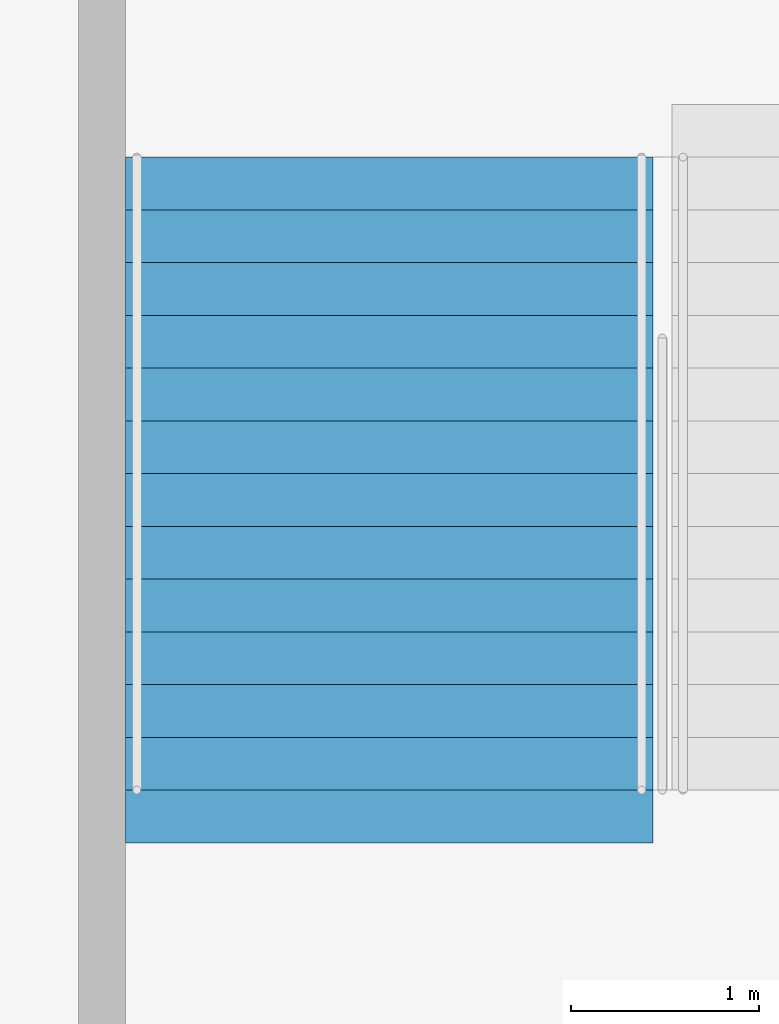
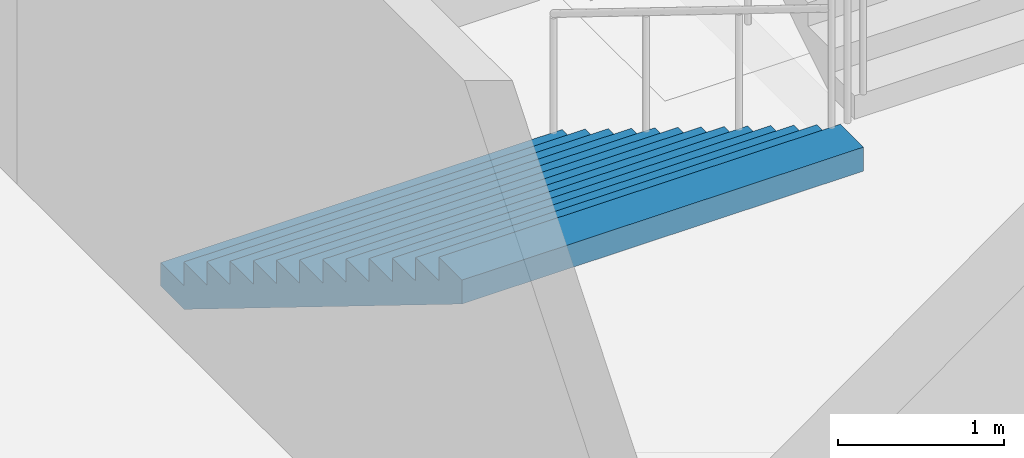
# One storey, part 60 of 115: 1 stair flight, 1 element without a shape of its own.
"""IFC4 building model written with IfcOpenShell, lengths in metres."""

from ifc_helpers import new_model, si_unit, direction, frame, origin, place, context, subcontext, project, spatial, faceted_brep, material, type_object, element, aggregate, save


model = new_model("IFC4")

# Units and contexts
model_context = context("Model", 3, precision=1e-05, world=origin(), true_north=direction((0.0, 1.0)))
body_context = subcontext(model_context, "Body", "Model", "MODEL_VIEW")
ifc_project = project(units=[si_unit("LENGTHUNIT", "METRE"), si_unit("AREAUNIT", "SQUARE_METRE"), si_unit("VOLUMEUNIT", "CUBIC_METRE"), si_unit("PLANEANGLEUNIT", "RADIAN"), si_unit("MASSUNIT", "GRAM", prefix="KILO")], contexts=[model_context])

# Site, building, storey
site_placement = place(None, origin())
site = spatial("IfcSite", under=ifc_project, at=site_placement, CompositionType="ELEMENT")
building_placement = place(site_placement, origin())
building = spatial("IfcBuilding", under=site, at=building_placement, Name="Ogive Plaza Stadium", CompositionType="ELEMENT")
storey_placement = place(building_placement, frame((0.0, 0.0, -4.5)))
storey = spatial("IfcBuildingStorey", under=building, at=storey_placement, Name="B1", CompositionType="ELEMENT", Elevation=-4.5)

# Stair, stair flight
ifc_material_1 = material(Name="Concrete C40/50", Category="concrete")
stair_type = type_object("IfcStairType", Name="Exit stair", PredefinedType="STRAIGHT_RUN_STAIR", material=ifc_material_1)
stair_placement = place(storey_placement, origin())
stair = element("IfcStair", 1, at=stair_placement, inside=storey, type_object=stair_type, Name="Exit stair ST16A B1 to L00", PredefinedType="STRAIGHT_RUN_STAIR")
ifc_material_2 = material(Name="Concrete C40/50", Category="concrete")
stair_flight_type = type_object("IfcStairFlightType", Name="Exit stair flight", PredefinedType="STRAIGHT", material=ifc_material_2)
stair_flight_placement = place(storey_placement, frame((-24.824951171875, -94.85009765625, 0.0), z_axis=(0.0, 0.0, 1.0), x_axis=(0.0, -1.0, 0.0)))
stair_flight = element("IfcStairFlight", 2, at=stair_flight_placement, type_object=stair_flight_type, Name="ST16A flight 1", NumberOfRisers=13, NumberOfTreads=12, PredefinedType="STRAIGHT", RiserHeight=0.173076923, TreadLength=0.28, context=body_context, shape_type="Brep", body=[
    faceted_brep([(0.28515625, -1.39990234375, 0.0), (3.639892578125, -1.39990234375, 2.07373046875), (3.639892578125, -1.39990234375, 2.25), (3.360107421875, -1.39990234375, 2.25), (3.360107421875, -1.39990234375, 2.076904296875), (3.080078125, -1.39990234375, 2.076904296875), (3.080078125, -1.39990234375, 1.90380859375), (2.800048828125, -1.39990234375, 1.90380859375), (2.800048828125, -1.39990234375, 1.730712890625), (2.52001953125, -1.39990234375, 1.730712890625), (2.52001953125, -1.39990234375, 1.5576171875), (2.239990234375, -1.39990234375, 1.5576171875), (2.239990234375, -1.39990234375, 1.384521484375), (1.9599609375, -1.39990234375, 1.384521484375), (1.9599609375, -1.39990234375, 1.21142578125), (1.679931640625, -1.39990234375, 1.21142578125), (1.679931640625, -1.39990234375, 1.03857421875), (1.39990234375, -1.39990234375, 1.03857421875), (1.39990234375, -1.39990234375, 0.865478515625), (1.1201171875, -1.39990234375, 0.865478515625), (1.1201171875, -1.39990234375, 0.6923828125), (0.840087890625, -1.39990234375, 0.6923828125), (0.840087890625, -1.39990234375, 0.519287109375), (0.56005859375, -1.39990234375, 0.519287109375), (0.56005859375, -1.39990234375, 0.34619140625), (0.280029296875, -1.39990234375, 0.34619140625), (0.280029296875, -1.39990234375, 0.173095703125), (0.0, -1.39990234375, 0.173095703125), (0.0, -1.39990234375, 0.0), (0.0, 1.39990234375, 0.0), (0.0, 1.39990234375, 0.173095703125), (0.280029296875, 1.39990234375, 0.173095703125), (0.280029296875, 1.39990234375, 0.34619140625), (0.56005859375, 1.39990234375, 0.34619140625), (0.56005859375, 1.39990234375, 0.519287109375), (0.840087890625, 1.39990234375, 0.519287109375), (0.840087890625, 1.39990234375, 0.6923828125), (1.1201171875, 1.39990234375, 0.6923828125), (1.1201171875, 1.39990234375, 0.865478515625), (1.39990234375, 1.39990234375, 0.865478515625), (1.39990234375, 1.39990234375, 1.03857421875), (1.679931640625, 1.39990234375, 1.03857421875), (1.679931640625, 1.39990234375, 1.21142578125), (1.9599609375, 1.39990234375, 1.21142578125), (1.9599609375, 1.39990234375, 1.384521484375), (2.239990234375, 1.39990234375, 1.384521484375), (2.239990234375, 1.39990234375, 1.5576171875), (2.52001953125, 1.39990234375, 1.5576171875), (2.52001953125, 1.39990234375, 1.730712890625), (2.800048828125, 1.39990234375, 1.730712890625), (2.800048828125, 1.39990234375, 1.90380859375), (3.080078125, 1.39990234375, 1.90380859375), (3.080078125, 1.39990234375, 2.076904296875), (3.360107421875, 1.39990234375, 2.076904296875), (3.360107421875, 1.39990234375, 2.25), (3.639892578125, 1.39990234375, 2.25), (3.639892578125, 1.39990234375, 2.07373046875), (0.28515625, 1.39990234375, 0.0), (0.28515625, -1.0888671875, 0.0), (3.639892578125, -1.0888671875, 2.07373046875), (0.28515625, -0.77783203125, 0.0), (3.639892578125, -0.77783203125, 2.07373046875), (0.28515625, -0.466796875, 0.0), (3.639892578125, -0.466796875, 2.07373046875), (0.28515625, -0.155517578125, 0.0), (3.639892578125, -0.155517578125, 2.07373046875), (0.28515625, 0.155517578125, 0.0), (3.639892578125, 0.155517578125, 2.07373046875), (0.28515625, 0.466796875, 0.0), (3.639892578125, 0.466796875, 2.07373046875), (0.28515625, 0.77783203125, 0.0), (3.639892578125, 0.77783203125, 2.07373046875), (0.28515625, 1.0888671875, 0.0), (3.639892578125, 1.0888671875, 2.07373046875), (3.639892578125, -1.0888671875, 2.25), (3.639892578125, -0.77783203125, 2.25), (3.639892578125, -0.466796875, 2.25), (3.639892578125, -0.155517578125, 2.25), (3.639892578125, 0.155517578125, 2.25), (3.639892578125, 0.466796875, 2.25), (3.639892578125, 0.77783203125, 2.25), (3.639892578125, 1.0888671875, 2.25), (3.360107421875, -1.0888671875, 2.25), (3.360107421875, -0.77783203125, 2.25), (3.360107421875, -0.466796875, 2.25), (3.360107421875, -0.155517578125, 2.25), (3.360107421875, 0.155517578125, 2.25), (3.360107421875, 0.466796875, 2.25), (3.360107421875, 0.77783203125, 2.25), (3.360107421875, 1.0888671875, 2.25), (3.360107421875, -1.0888671875, 2.076904296875), (3.360107421875, -0.77783203125, 2.076904296875), (3.360107421875, -0.466796875, 2.076904296875), (3.360107421875, -0.155517578125, 2.076904296875), (3.360107421875, 0.155517578125, 2.076904296875), (3.360107421875, 0.466796875, 2.076904296875), (3.360107421875, 0.77783203125, 2.076904296875), (3.360107421875, 1.0888671875, 2.076904296875), (3.080078125, -1.0888671875, 2.076904296875), (3.080078125, -0.77783203125, 2.076904296875), (3.080078125, -0.466796875, 2.076904296875), (3.080078125, -0.155517578125, 2.076904296875), (3.080078125, 0.155517578125, 2.076904296875), (3.080078125, 0.466796875, 2.076904296875), (3.080078125, 0.77783203125, 2.076904296875), (3.080078125, 1.0888671875, 2.076904296875), (3.080078125, -1.0888671875, 1.90380859375), (3.080078125, -0.77783203125, 1.90380859375), (3.080078125, -0.466796875, 1.90380859375), (3.080078125, -0.155517578125, 1.90380859375), (3.080078125, 0.155517578125, 1.90380859375), (3.080078125, 0.466796875, 1.90380859375), (3.080078125, 0.77783203125, 1.90380859375), (3.080078125, 1.0888671875, 1.90380859375), (2.800048828125, -1.0888671875, 1.90380859375), (2.800048828125, -0.77783203125, 1.90380859375), (2.800048828125, -0.466796875, 1.90380859375), (2.800048828125, -0.155517578125, 1.90380859375), (2.800048828125, 0.155517578125, 1.90380859375), (2.800048828125, 0.466796875, 1.90380859375), (2.800048828125, 0.77783203125, 1.90380859375), (2.800048828125, 1.0888671875, 1.90380859375), (2.800048828125, -1.0888671875, 1.730712890625), (2.800048828125, -0.77783203125, 1.730712890625), (2.800048828125, -0.466796875, 1.730712890625), (2.800048828125, -0.155517578125, 1.730712890625), (2.800048828125, 0.155517578125, 1.730712890625), (2.800048828125, 0.466796875, 1.730712890625), (2.800048828125, 0.77783203125, 1.730712890625), (2.800048828125, 1.0888671875, 1.730712890625), (2.52001953125, -1.0888671875, 1.730712890625), (2.52001953125, -0.77783203125, 1.730712890625), (2.52001953125, -0.466796875, 1.730712890625), (2.52001953125, -0.155517578125, 1.730712890625), (2.52001953125, 0.155517578125, 1.730712890625), (2.52001953125, 0.466796875, 1.730712890625), (2.52001953125, 0.77783203125, 1.730712890625), (2.52001953125, 1.0888671875, 1.730712890625), (2.52001953125, -1.0888671875, 1.5576171875), (2.52001953125, -0.77783203125, 1.5576171875), (2.52001953125, -0.466796875, 1.5576171875), (2.52001953125, -0.155517578125, 1.5576171875), (2.52001953125, 0.155517578125, 1.5576171875), (2.52001953125, 0.466796875, 1.5576171875), (2.52001953125, 0.77783203125, 1.5576171875), (2.52001953125, 1.0888671875, 1.5576171875), (2.239990234375, -1.0888671875, 1.5576171875), (2.239990234375, -0.77783203125, 1.5576171875), (2.239990234375, -0.466796875, 1.5576171875), (2.239990234375, -0.155517578125, 1.5576171875), (2.239990234375, 0.155517578125, 1.5576171875), (2.239990234375, 0.466796875, 1.5576171875), (2.239990234375, 0.77783203125, 1.5576171875), (2.239990234375, 1.0888671875, 1.5576171875), (2.239990234375, -1.0888671875, 1.384521484375), (2.239990234375, -0.77783203125, 1.384521484375), (2.239990234375, -0.466796875, 1.384521484375), (2.239990234375, -0.155517578125, 1.384521484375), (2.239990234375, 0.155517578125, 1.384521484375), (2.239990234375, 0.466796875, 1.384521484375), (2.239990234375, 0.77783203125, 1.384521484375), (2.239990234375, 1.0888671875, 1.384521484375), (1.9599609375, -1.0888671875, 1.384521484375), (1.9599609375, -0.77783203125, 1.384521484375), (1.9599609375, -0.466796875, 1.384521484375), (1.9599609375, -0.155517578125, 1.384521484375), (1.9599609375, 0.155517578125, 1.384521484375), (1.9599609375, 0.466796875, 1.384521484375), (1.9599609375, 0.77783203125, 1.384521484375), (1.9599609375, 1.0888671875, 1.384521484375), (1.9599609375, -1.0888671875, 1.21142578125), (1.9599609375, -0.77783203125, 1.21142578125), (1.9599609375, -0.466796875, 1.21142578125), (1.9599609375, -0.155517578125, 1.21142578125), (1.9599609375, 0.155517578125, 1.21142578125), (1.9599609375, 0.466796875, 1.21142578125), (1.9599609375, 0.77783203125, 1.21142578125), (1.9599609375, 1.0888671875, 1.21142578125), (1.679931640625, -1.0888671875, 1.21142578125), (1.679931640625, -0.77783203125, 1.21142578125), (1.679931640625, -0.466796875, 1.21142578125), (1.679931640625, -0.155517578125, 1.21142578125), (1.679931640625, 0.155517578125, 1.21142578125), (1.679931640625, 0.466796875, 1.21142578125), (1.679931640625, 0.77783203125, 1.21142578125), (1.679931640625, 1.0888671875, 1.21142578125), (1.679931640625, -1.0888671875, 1.03857421875), (1.679931640625, -0.77783203125, 1.03857421875), (1.679931640625, -0.466796875, 1.03857421875), (1.679931640625, -0.155517578125, 1.03857421875), (1.679931640625, 0.155517578125, 1.03857421875), (1.679931640625, 0.466796875, 1.03857421875), (1.679931640625, 0.77783203125, 1.03857421875), (1.679931640625, 1.0888671875, 1.03857421875), (1.39990234375, -1.0888671875, 1.03857421875), (1.39990234375, -0.77783203125, 1.03857421875), (1.39990234375, -0.466796875, 1.03857421875), (1.39990234375, -0.155517578125, 1.03857421875), (1.39990234375, 0.155517578125, 1.03857421875), (1.39990234375, 0.466796875, 1.03857421875), (1.39990234375, 0.77783203125, 1.03857421875), (1.39990234375, 1.0888671875, 1.03857421875), (1.39990234375, -1.0888671875, 0.865478515625), (1.39990234375, -0.77783203125, 0.865478515625), (1.39990234375, -0.466796875, 0.865478515625), (1.39990234375, -0.155517578125, 0.865478515625), (1.39990234375, 0.155517578125, 0.865478515625), (1.39990234375, 0.466796875, 0.865478515625), (1.39990234375, 0.77783203125, 0.865478515625), (1.39990234375, 1.0888671875, 0.865478515625), (1.1201171875, -1.0888671875, 0.865478515625), (1.1201171875, -0.77783203125, 0.865478515625), (1.1201171875, -0.466796875, 0.865478515625), (1.1201171875, -0.155517578125, 0.865478515625), (1.1201171875, 0.155517578125, 0.865478515625), (1.1201171875, 0.466796875, 0.865478515625), (1.1201171875, 0.77783203125, 0.865478515625), (1.1201171875, 1.0888671875, 0.865478515625), (1.1201171875, -1.0888671875, 0.6923828125), (1.1201171875, -0.77783203125, 0.6923828125), (1.1201171875, -0.466796875, 0.6923828125), (1.1201171875, -0.155517578125, 0.6923828125), (1.1201171875, 0.155517578125, 0.6923828125), (1.1201171875, 0.466796875, 0.6923828125), (1.1201171875, 0.77783203125, 0.6923828125), (1.1201171875, 1.0888671875, 0.6923828125), (0.840087890625, -1.0888671875, 0.6923828125), (0.840087890625, -0.77783203125, 0.6923828125), (0.840087890625, -0.466796875, 0.6923828125), (0.840087890625, -0.155517578125, 0.6923828125), (0.840087890625, 0.155517578125, 0.6923828125), (0.840087890625, 0.466796875, 0.6923828125), (0.840087890625, 0.77783203125, 0.6923828125), (0.840087890625, 1.0888671875, 0.6923828125), (0.840087890625, -1.0888671875, 0.519287109375), (0.840087890625, -0.77783203125, 0.519287109375), (0.840087890625, -0.466796875, 0.519287109375), (0.840087890625, -0.155517578125, 0.519287109375), (0.840087890625, 0.155517578125, 0.519287109375), (0.840087890625, 0.466796875, 0.519287109375), (0.840087890625, 0.77783203125, 0.519287109375), (0.840087890625, 1.0888671875, 0.519287109375), (0.56005859375, -1.0888671875, 0.519287109375), (0.56005859375, -0.77783203125, 0.519287109375), (0.56005859375, -0.466796875, 0.519287109375), (0.56005859375, -0.155517578125, 0.519287109375), (0.56005859375, 0.155517578125, 0.519287109375), (0.56005859375, 0.466796875, 0.519287109375), (0.56005859375, 0.77783203125, 0.519287109375), (0.56005859375, 1.0888671875, 0.519287109375), (0.56005859375, -1.0888671875, 0.34619140625), (0.56005859375, -0.77783203125, 0.34619140625), (0.56005859375, -0.466796875, 0.34619140625), (0.56005859375, -0.155517578125, 0.34619140625), (0.56005859375, 0.155517578125, 0.34619140625), (0.56005859375, 0.466796875, 0.34619140625), (0.56005859375, 0.77783203125, 0.34619140625), (0.56005859375, 1.0888671875, 0.34619140625), (0.280029296875, -1.0888671875, 0.34619140625), (0.280029296875, -0.77783203125, 0.34619140625), (0.280029296875, -0.466796875, 0.34619140625), (0.280029296875, -0.155517578125, 0.34619140625), (0.280029296875, 0.155517578125, 0.34619140625), (0.280029296875, 0.466796875, 0.34619140625), (0.280029296875, 0.77783203125, 0.34619140625), (0.280029296875, 1.0888671875, 0.34619140625), (0.280029296875, -1.0888671875, 0.173095703125), (0.280029296875, -0.77783203125, 0.173095703125), (0.280029296875, -0.466796875, 0.173095703125), (0.280029296875, -0.155517578125, 0.173095703125), (0.280029296875, 0.155517578125, 0.173095703125), (0.280029296875, 0.466796875, 0.173095703125), (0.280029296875, 0.77783203125, 0.173095703125), (0.280029296875, 1.0888671875, 0.173095703125), (0.0, -1.0888671875, 0.173095703125), (0.0, -0.77783203125, 0.173095703125), (0.0, -0.466796875, 0.173095703125), (0.0, -0.155517578125, 0.173095703125), (0.0, 0.155517578125, 0.173095703125), (0.0, 0.466796875, 0.173095703125), (0.0, 0.77783203125, 0.173095703125), (0.0, 1.0888671875, 0.173095703125), (0.0, -1.0888671875, 0.0), (0.0, -0.77783203125, 0.0), (0.0, -0.466796875, 0.0), (0.0, -0.155517578125, 0.0), (0.0, 0.155517578125, 0.0), (0.0, 0.466796875, 0.0), (0.0, 0.77783203125, 0.0), (0.0, 1.0888671875, 0.0)], [[[0, 1, 2, 3, 4, 5, 6, 7, 8, 9, 10, 11, 12, 13, 14, 15, 16, 17, 18, 19, 20, 21, 22, 23, 24, 25, 26, 27, 28]], [[29, 30, 31, 32, 33, 34, 35, 36, 37, 38, 39, 40, 41, 42, 43, 44, 45, 46, 47, 48, 49, 50, 51, 52, 53, 54, 55, 56, 57]], [[0, 58, 59, 1]], [[58, 60, 61, 59]], [[60, 62, 63, 61]], [[62, 64, 65, 63]], [[64, 66, 67, 65]], [[66, 68, 69, 67]], [[68, 70, 71, 69]], [[70, 72, 73, 71]], [[72, 57, 56, 73]], [[1, 59, 74, 2]], [[59, 61, 75, 74]], [[61, 63, 76, 75]], [[63, 65, 77, 76]], [[65, 67, 78, 77]], [[67, 69, 79, 78]], [[69, 71, 80, 79]], [[71, 73, 81, 80]], [[73, 56, 55, 81]], [[2, 74, 82, 3]], [[74, 75, 83, 82]], [[75, 76, 84, 83]], [[76, 77, 85, 84]], [[77, 78, 86, 85]], [[78, 79, 87, 86]], [[79, 80, 88, 87]], [[80, 81, 89, 88]], [[81, 55, 54, 89]], [[3, 82, 90, 4]], [[82, 83, 91, 90]], [[83, 84, 92, 91]], [[84, 85, 93, 92]], [[85, 86, 94, 93]], [[86, 87, 95, 94]], [[87, 88, 96, 95]], [[88, 89, 97, 96]], [[89, 54, 53, 97]], [[4, 90, 98, 5]], [[90, 91, 99, 98]], [[91, 92, 100, 99]], [[92, 93, 101, 100]], [[93, 94, 102, 101]], [[94, 95, 103, 102]], [[95, 96, 104, 103]], [[96, 97, 105, 104]], [[97, 53, 52, 105]], [[5, 98, 106, 6]], [[98, 99, 107, 106]], [[99, 100, 108, 107]], [[100, 101, 109, 108]], [[101, 102, 110, 109]], [[102, 103, 111, 110]], [[103, 104, 112, 111]], [[104, 105, 113, 112]], [[105, 52, 51, 113]], [[6, 106, 114, 7]], [[106, 107, 115, 114]], [[107, 108, 116, 115]], [[108, 109, 117, 116]], [[109, 110, 118, 117]], [[110, 111, 119, 118]], [[111, 112, 120, 119]], [[112, 113, 121, 120]], [[113, 51, 50, 121]], [[7, 114, 122, 8]], [[114, 115, 123, 122]], [[115, 116, 124, 123]], [[116, 117, 125, 124]], [[117, 118, 126, 125]], [[118, 119, 127, 126]], [[119, 120, 128, 127]], [[120, 121, 129, 128]], [[121, 50, 49, 129]], [[8, 122, 130, 9]], [[122, 123, 131, 130]], [[123, 124, 132, 131]], [[124, 125, 133, 132]], [[125, 126, 134, 133]], [[126, 127, 135, 134]], [[127, 128, 136, 135]], [[128, 129, 137, 136]], [[129, 49, 48, 137]], [[9, 130, 138, 10]], [[130, 131, 139, 138]], [[131, 132, 140, 139]], [[132, 133, 141, 140]], [[133, 134, 142, 141]], [[134, 135, 143, 142]], [[135, 136, 144, 143]], [[136, 137, 145, 144]], [[137, 48, 47, 145]], [[10, 138, 146, 11]], [[138, 139, 147, 146]], [[139, 140, 148, 147]], [[140, 141, 149, 148]], [[141, 142, 150, 149]], [[142, 143, 151, 150]], [[143, 144, 152, 151]], [[144, 145, 153, 152]], [[145, 47, 46, 153]], [[11, 146, 154, 12]], [[146, 147, 155, 154]], [[147, 148, 156, 155]], [[148, 149, 157, 156]], [[149, 150, 158, 157]], [[150, 151, 159, 158]], [[151, 152, 160, 159]], [[152, 153, 161, 160]], [[153, 46, 45, 161]], [[12, 154, 162, 13]], [[154, 155, 163, 162]], [[155, 156, 164, 163]], [[156, 157, 165, 164]], [[157, 158, 166, 165]], [[158, 159, 167, 166]], [[159, 160, 168, 167]], [[160, 161, 169, 168]], [[161, 45, 44, 169]], [[13, 162, 170, 14]], [[162, 163, 171, 170]], [[163, 164, 172, 171]], [[164, 165, 173, 172]], [[165, 166, 174, 173]], [[166, 167, 175, 174]], [[167, 168, 176, 175]], [[168, 169, 177, 176]], [[169, 44, 43, 177]], [[14, 170, 178, 15]], [[170, 171, 179, 178]], [[171, 172, 180, 179]], [[172, 173, 181, 180]], [[173, 174, 182, 181]], [[174, 175, 183, 182]], [[175, 176, 184, 183]], [[176, 177, 185, 184]], [[177, 43, 42, 185]], [[15, 178, 186, 16]], [[178, 179, 187, 186]], [[179, 180, 188, 187]], [[180, 181, 189, 188]], [[181, 182, 190, 189]], [[182, 183, 191, 190]], [[183, 184, 192, 191]], [[184, 185, 193, 192]], [[185, 42, 41, 193]], [[16, 186, 194, 17]], [[186, 187, 195, 194]], [[187, 188, 196, 195]], [[188, 189, 197, 196]], [[189, 190, 198, 197]], [[190, 191, 199, 198]], [[191, 192, 200, 199]], [[192, 193, 201, 200]], [[193, 41, 40, 201]], [[17, 194, 202, 18]], [[194, 195, 203, 202]], [[195, 196, 204, 203]], [[196, 197, 205, 204]], [[197, 198, 206, 205]], [[198, 199, 207, 206]], [[199, 200, 208, 207]], [[200, 201, 209, 208]], [[201, 40, 39, 209]], [[18, 202, 210, 19]], [[202, 203, 211, 210]], [[203, 204, 212, 211]], [[204, 205, 213, 212]], [[205, 206, 214, 213]], [[206, 207, 215, 214]], [[207, 208, 216, 215]], [[208, 209, 217, 216]], [[209, 39, 38, 217]], [[19, 210, 218, 20]], [[210, 211, 219, 218]], [[211, 212, 220, 219]], [[212, 213, 221, 220]], [[213, 214, 222, 221]], [[214, 215, 223, 222]], [[215, 216, 224, 223]], [[216, 217, 225, 224]], [[217, 38, 37, 225]], [[20, 218, 226, 21]], [[218, 219, 227, 226]], [[219, 220, 228, 227]], [[220, 221, 229, 228]], [[221, 222, 230, 229]], [[222, 223, 231, 230]], [[223, 224, 232, 231]], [[224, 225, 233, 232]], [[225, 37, 36, 233]], [[21, 226, 234, 22]], [[226, 227, 235, 234]], [[227, 228, 236, 235]], [[228, 229, 237, 236]], [[229, 230, 238, 237]], [[230, 231, 239, 238]], [[231, 232, 240, 239]], [[232, 233, 241, 240]], [[233, 36, 35, 241]], [[22, 234, 242, 23]], [[234, 235, 243, 242]], [[235, 236, 244, 243]], [[236, 237, 245, 244]], [[237, 238, 246, 245]], [[238, 239, 247, 246]], [[239, 240, 248, 247]], [[240, 241, 249, 248]], [[241, 35, 34, 249]], [[23, 242, 250, 24]], [[242, 243, 251, 250]], [[243, 244, 252, 251]], [[244, 245, 253, 252]], [[245, 246, 254, 253]], [[246, 247, 255, 254]], [[247, 248, 256, 255]], [[248, 249, 257, 256]], [[249, 34, 33, 257]], [[24, 250, 258, 25]], [[250, 251, 259, 258]], [[251, 252, 260, 259]], [[252, 253, 261, 260]], [[253, 254, 262, 261]], [[254, 255, 263, 262]], [[255, 256, 264, 263]], [[256, 257, 265, 264]], [[257, 33, 32, 265]], [[25, 258, 266, 26]], [[258, 259, 267, 266]], [[259, 260, 268, 267]], [[260, 261, 269, 268]], [[261, 262, 270, 269]], [[262, 263, 271, 270]], [[263, 264, 272, 271]], [[264, 265, 273, 272]], [[265, 32, 31, 273]], [[26, 266, 274, 27]], [[266, 267, 275, 274]], [[267, 268, 276, 275]], [[268, 269, 277, 276]], [[269, 270, 278, 277]], [[270, 271, 279, 278]], [[271, 272, 280, 279]], [[272, 273, 281, 280]], [[273, 31, 30, 281]], [[27, 274, 282, 28]], [[274, 275, 283, 282]], [[275, 276, 284, 283]], [[276, 277, 285, 284]], [[277, 278, 286, 285]], [[278, 279, 287, 286]], [[279, 280, 288, 287]], [[280, 281, 289, 288]], [[281, 30, 29, 289]], [[28, 282, 58, 0]], [[282, 283, 60, 58]], [[283, 284, 62, 60]], [[284, 285, 64, 62]], [[285, 286, 66, 64]], [[286, 287, 68, 66]], [[287, 288, 70, 68]], [[288, 289, 72, 70]], [[289, 29, 57, 72]]]),
])
aggregate(stair, [stair_flight])

save(model, "model.ifc")
